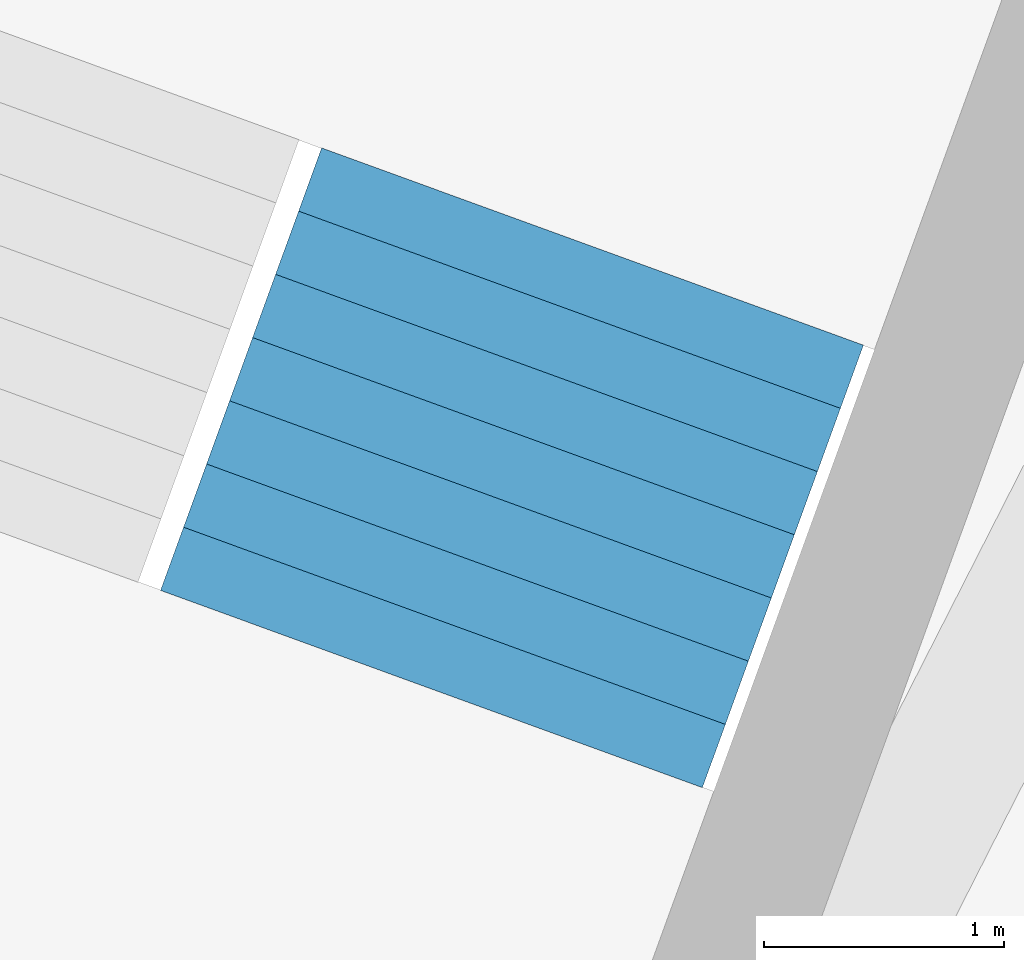
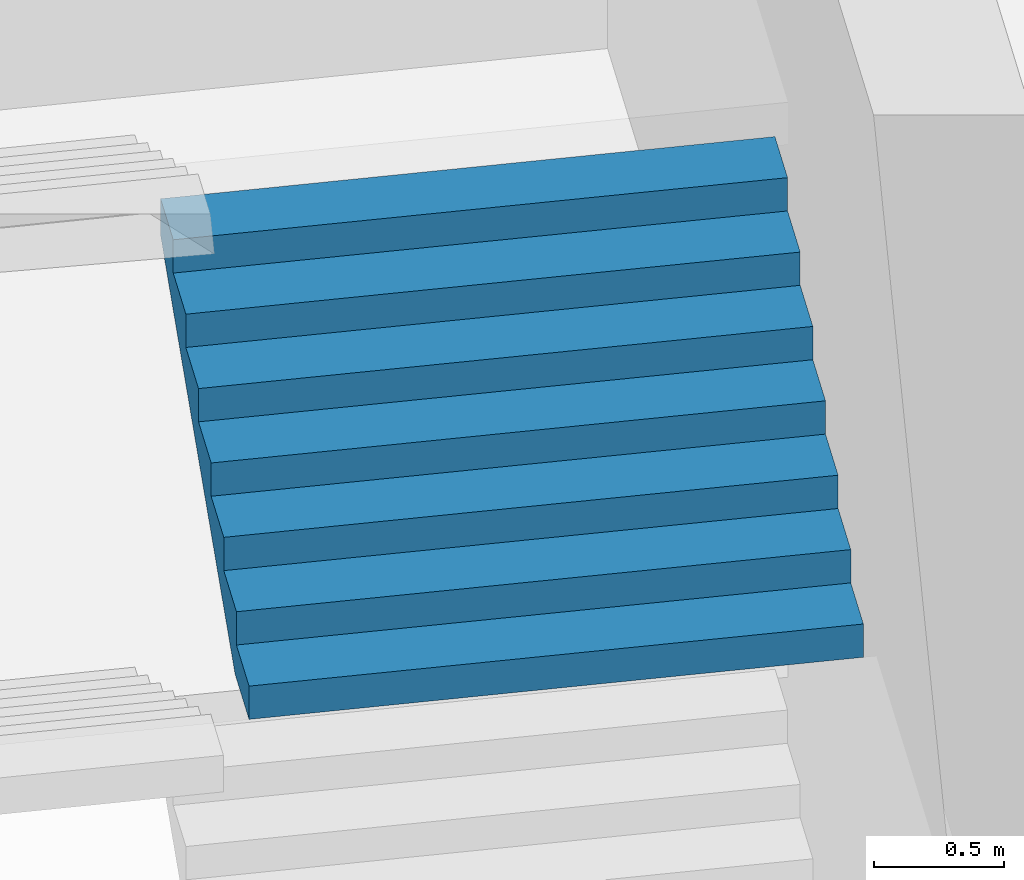
# One storey, part 48 of 73: 1 stair flight, 1 element without a shape of its own.
"""IFC4 building model written with IfcOpenShell, lengths in metres."""

from ifc_helpers import new_model, si_unit, direction, frame, origin, place, context, subcontext, project, spatial, triangles, material, type_object, element, aggregate, save


model = new_model("IFC4")

# Units and contexts
model_context = context("Model", 3, precision=1e-05, world=origin(), true_north=direction((0.0, 1.0)))
body_context = subcontext(model_context, "Body", "Model", "MODEL_VIEW")
ifc_project = project(units=[si_unit("LENGTHUNIT", "METRE"), si_unit("AREAUNIT", "SQUARE_METRE"), si_unit("VOLUMEUNIT", "CUBIC_METRE"), si_unit("PLANEANGLEUNIT", "RADIAN"), si_unit("MASSUNIT", "GRAM", prefix="KILO")], contexts=[model_context])

# Site, building, storey
site_placement = place(None, origin())
site = spatial("IfcSite", under=ifc_project, at=site_placement, CompositionType="ELEMENT")
building_placement = place(site_placement, origin())
building = spatial("IfcBuilding", under=site, at=building_placement, Name="Lantaw Convention Tower", CompositionType="ELEMENT")
storey_placement = place(building_placement, frame((0.0, 0.0, 27.0)))
storey = spatial("IfcBuildingStorey", under=building, at=storey_placement, Name="L04", CompositionType="ELEMENT", Elevation=27.0)

# Stair, stair flight
ifc_material = material(Name="Concrete C35/45", Category="concrete")
stair_type = type_object("IfcStairType", Name="Exit stair 2400 riser 156.25 in 4 flights", PredefinedType="HALF_TURN_STAIR", material=ifc_material)
stair_placement = place(storey_placement, origin())
stair = element("IfcStair", 1, at=stair_placement, inside=storey, type_object=stair_type, Name="Podium exit stair P5 L04", PredefinedType="HALF_TURN_STAIR")
stair_flight_type = type_object("IfcStairFlightType", Name="Stair flight 2400 riser 156.25", PredefinedType="STRAIGHT", material=ifc_material)
stair_flight_placement = place(storey_placement, frame((10.476318359375, 25.128662109375, 2.5), z_axis=(0.0, 0.0, 1.0), x_axis=(0.342020143326, 0.939692620786, 0.0)))
stair_flight = element("IfcStairFlight", 2, at=stair_flight_placement, type_object=stair_flight_type, Name="P5 flight 3", NumberOfRisers=8, NumberOfTreads=7, PredefinedType="STRAIGHT", RiserHeight=0.15625, TreadLength=0.28, context=body_context, shape_type="Tessellation", body=[
    triangles([(0.0, 1.199951171875, 0.0), (0.0, 1.199951171875, 0.15625), (0.28, 1.199951171875, 0.0), (0.28, 1.199951171875, 0.15625), (0.28, 1.199951171875, 0.3125), (0.3076200632058044, 1.199951171875, 0.0), (0.3076200632058044, 1.199951171875, 0.3125), (0.56, 1.199951171875, 0.14083701830033238), (0.56, 1.199951171875, 0.3125), (0.56, 1.199951171875, 0.46875), (0.8400000000000001, 1.199951171875, 0.29708701830033235), (0.8400000000000001, 1.199951171875, 0.46875), (0.8400000000000001, 1.199951171875, 0.625), (1.12, 1.199951171875, 0.45333701830033235), (1.12, 1.199951171875, 0.625), (1.12, 1.199951171875, 0.78125), (1.4000000000000001, 1.199951171875, 0.6095870183003324), (1.4000000000000001, 1.199951171875, 0.78125), (1.4000000000000001, 1.199951171875, 0.9375), (1.6800000000000002, 1.199951171875, 0.7658370183003324), (1.6800000000000002, 1.199951171875, 0.9375), (1.6800000000000002, 1.199951171875, 1.09375), (1.9600000000000002, 1.199951171875, 0.9220870183003324), (1.9600000000000002, 1.199951171875, 1.09375), (0.0, -1.199951171875, 0.0), (0.0, -1.199951171875, 0.15625), (0.28, -1.199951171875, 0.0), (0.28, -1.199951171875, 0.15625), (0.28, -1.199951171875, 0.3125), (0.3076200632058044, -1.199951171875, 0.0), (0.3076200632058044, -1.199951171875, 0.3125), (0.56, -1.199951171875, 0.14083701830033238), (0.56, -1.199951171875, 0.3125), (0.56, -1.199951171875, 0.46875), (0.8400000000000001, -1.199951171875, 0.29708701830033235), (0.8400000000000001, -1.199951171875, 0.46875), (0.8400000000000001, -1.199951171875, 0.625), (1.12, -1.199951171875, 0.45333701830033235), (1.12, -1.199951171875, 0.625), (1.12, -1.199951171875, 0.78125), (1.4000000000000001, -1.199951171875, 0.6095870183003324), (1.4000000000000001, -1.199951171875, 0.78125), (1.4000000000000001, -1.199951171875, 0.9375), (1.6800000000000002, -1.199951171875, 0.7658370183003324), (1.6800000000000002, -1.199951171875, 0.9375), (1.6800000000000002, -1.199951171875, 1.09375), (1.9600000000000002, -1.199951171875, 0.9220870183003324), (1.9600000000000002, -1.199951171875, 1.09375), (0.0, 0.239990234375, 0.15625), (0.0, 0.239990234375, 0.0), (0.0, 0.1919921875, 0.15625), (0.0, 0.1919921875, 0.0), (0.0, 0.143994140625, 0.15625), (0.0, 0.143994140625, 0.0), (0.0, 0.09599609375, 0.15625), (0.0, 0.09599609375, 0.0), (0.0, 0.047998046875, 0.15625), (0.0, 0.047998046875, 0.0), (0.0, 0.0, 0.15625), (0.0, 0.0, 0.0), (0.0, -0.047998046875, 0.15625), (0.0, -0.047998046875, 0.0), (0.0, -0.09599609375, 0.15625), (0.0, -0.09599609375, 0.0), (0.0, -0.143994140625, 0.15625), (0.0, -0.143994140625, 0.0), (0.0, -0.1919921875, 0.15625), (0.0, -0.1919921875, 0.0), (0.0, -0.239990234375, 0.15625), (0.0, -0.239990234375, 0.0), (0.28, 0.239990234375, 0.3125), (0.28, 0.239990234375, 0.15625), (0.28, 0.1919921875, 0.3125), (0.28, 0.1919921875, 0.15625), (0.28, 0.143994140625, 0.3125), (0.28, 0.143994140625, 0.15625), (0.28, 0.09599609375, 0.3125), (0.28, 0.09599609375, 0.15625), (0.28, 0.047998046875, 0.3125), (0.28, 0.047998046875, 0.15625), (0.28, 0.0, 0.3125), (0.28, 0.0, 0.15625), (0.28, -0.047998046875, 0.3125), (0.28, -0.047998046875, 0.15625), (0.28, -0.09599609375, 0.3125), (0.28, -0.09599609375, 0.15625), (0.28, -0.143994140625, 0.3125), (0.28, -0.143994140625, 0.15625), (0.28, -0.1919921875, 0.3125), (0.28, -0.1919921875, 0.15625), (0.28, -0.239990234375, 0.3125), (0.28, -0.239990234375, 0.15625), (0.56, 0.239990234375, 0.46875), (0.56, 0.239990234375, 0.3125), (0.56, 0.1919921875, 0.46875), (0.56, 0.1919921875, 0.3125), (0.56, 0.143994140625, 0.46875), (0.56, 0.143994140625, 0.3125), (0.56, 0.09599609375, 0.46875), (0.56, 0.09599609375, 0.3125), (0.56, 0.047998046875, 0.46875), (0.56, 0.047998046875, 0.3125), (0.56, 0.0, 0.46875), (0.56, 0.0, 0.3125), (0.56, -0.047998046875, 0.46875), (0.56, -0.047998046875, 0.3125), (0.56, -0.09599609375, 0.46875), (0.56, -0.09599609375, 0.3125), (0.56, -0.143994140625, 0.46875), (0.56, -0.143994140625, 0.3125), (0.56, -0.1919921875, 0.46875), (0.56, -0.1919921875, 0.3125), (0.56, -0.239990234375, 0.46875), (0.56, -0.239990234375, 0.3125), (0.8400000000000001, 0.239990234375, 0.625), (0.8400000000000001, 0.239990234375, 0.46875), (0.8400000000000001, 0.1919921875, 0.625), (0.8400000000000001, 0.1919921875, 0.46875), (0.8400000000000001, 0.143994140625, 0.625), (0.8400000000000001, 0.143994140625, 0.46875), (0.8400000000000001, 0.09599609375, 0.625), (0.8400000000000001, 0.09599609375, 0.46875), (0.8400000000000001, 0.047998046875, 0.625), (0.8400000000000001, 0.047998046875, 0.46875), (0.8400000000000001, 0.0, 0.625), (0.8400000000000001, 0.0, 0.46875), (0.8400000000000001, -0.047998046875, 0.625), (0.8400000000000001, -0.047998046875, 0.46875), (0.8400000000000001, -0.09599609375, 0.625), (0.8400000000000001, -0.09599609375, 0.46875), (0.8400000000000001, -0.143994140625, 0.625), (0.8400000000000001, -0.143994140625, 0.46875), (0.8400000000000001, -0.1919921875, 0.625), (0.8400000000000001, -0.1919921875, 0.46875), (0.8400000000000001, -0.239990234375, 0.625), (0.8400000000000001, -0.239990234375, 0.46875), (1.12, 0.239990234375, 0.78125), (1.12, 0.239990234375, 0.625), (1.12, 0.1919921875, 0.78125), (1.12, 0.1919921875, 0.625), (1.12, 0.143994140625, 0.78125), (1.12, 0.143994140625, 0.625), (1.12, 0.09599609375, 0.78125), (1.12, 0.09599609375, 0.625), (1.12, 0.047998046875, 0.78125), (1.12, 0.047998046875, 0.625), (1.12, 0.0, 0.78125), (1.12, 0.0, 0.625), (1.12, -0.047998046875, 0.78125), (1.12, -0.047998046875, 0.625), (1.12, -0.09599609375, 0.78125), (1.12, -0.09599609375, 0.625), (1.12, -0.143994140625, 0.78125), (1.12, -0.143994140625, 0.625), (1.12, -0.1919921875, 0.78125), (1.12, -0.1919921875, 0.625), (1.12, -0.239990234375, 0.78125), (1.12, -0.239990234375, 0.625), (1.4000000000000001, 0.239990234375, 0.9375), (1.4000000000000001, 0.239990234375, 0.78125), (1.4000000000000001, 0.1919921875, 0.9375), (1.4000000000000001, 0.1919921875, 0.78125), (1.4000000000000001, 0.143994140625, 0.9375), (1.4000000000000001, 0.143994140625, 0.78125), (1.4000000000000001, 0.09599609375, 0.9375), (1.4000000000000001, 0.09599609375, 0.78125), (1.4000000000000001, 0.047998046875, 0.9375), (1.4000000000000001, 0.047998046875, 0.78125), (1.4000000000000001, 0.0, 0.9375), (1.4000000000000001, 0.0, 0.78125), (1.4000000000000001, -0.047998046875, 0.9375), (1.4000000000000001, -0.047998046875, 0.78125), (1.4000000000000001, -0.09599609375, 0.9375), (1.4000000000000001, -0.09599609375, 0.78125), (1.4000000000000001, -0.143994140625, 0.9375), (1.4000000000000001, -0.143994140625, 0.78125), (1.4000000000000001, -0.1919921875, 0.9375), (1.4000000000000001, -0.1919921875, 0.78125), (1.4000000000000001, -0.239990234375, 0.9375), (1.4000000000000001, -0.239990234375, 0.78125), (1.6800000000000002, 0.239990234375, 1.09375), (1.6800000000000002, 0.239990234375, 0.9375), (1.6800000000000002, 0.1919921875, 1.09375), (1.6800000000000002, 0.1919921875, 0.9375), (1.6800000000000002, 0.143994140625, 1.09375), (1.6800000000000002, 0.143994140625, 0.9375), (1.6800000000000002, 0.09599609375, 1.09375), (1.6800000000000002, 0.09599609375, 0.9375), (1.6800000000000002, 0.047998046875, 1.09375), (1.6800000000000002, 0.047998046875, 0.9375), (1.6800000000000002, 0.0, 1.09375), (1.6800000000000002, 0.0, 0.9375), (1.6800000000000002, -0.047998046875, 1.09375), (1.6800000000000002, -0.047998046875, 0.9375), (1.6800000000000002, -0.09599609375, 1.09375), (1.6800000000000002, -0.09599609375, 0.9375), (1.6800000000000002, -0.143994140625, 1.09375), (1.6800000000000002, -0.143994140625, 0.9375), (1.6800000000000002, -0.1919921875, 1.09375), (1.6800000000000002, -0.1919921875, 0.9375), (1.6800000000000002, -0.239990234375, 1.09375), (1.6800000000000002, -0.239990234375, 0.9375), (0.3076200632058044, 0.239990234375, 0.3125), (0.3076200632058044, 0.1919921875, 0.3125), (0.3076200632058044, 0.143994140625, 0.3125), (0.3076200632058044, 0.09599609375, 0.3125), (0.3076200632058044, 0.047998046875, 0.3125), (0.3076200632058044, 0.0, 0.3125), (0.3076200632058044, -0.047998046875, 0.3125), (0.3076200632058044, -0.09599609375, 0.3125), (0.3076200632058044, -0.143994140625, 0.3125), (0.3076200632058044, -0.1919921875, 0.3125), (0.3076200632058044, -0.239990234375, 0.3125), (1.9600000000000002, 0.239990234375, 1.09375), (1.9600000000000002, 0.1919921875, 1.09375), (1.9600000000000002, 0.143994140625, 1.09375), (1.9600000000000002, 0.09599609375, 1.09375), (1.9600000000000002, 0.047998046875, 1.09375), (1.9600000000000002, 0.0, 1.09375), (1.9600000000000002, -0.047998046875, 1.09375), (1.9600000000000002, -0.09599609375, 1.09375), (1.9600000000000002, -0.143994140625, 1.09375), (1.9600000000000002, -0.1919921875, 1.09375), (1.9600000000000002, -0.239990234375, 1.09375), (1.9600000000000002, 0.239990234375, 0.9220870183003324), (1.9600000000000002, 0.1919921875, 0.9220870183003324), (1.9600000000000002, 0.143994140625, 0.9220870183003324), (1.9600000000000002, 0.09599609375, 0.9220870183003324), (1.9600000000000002, 0.047998046875, 0.9220870183003324), (1.9600000000000002, 0.0, 0.9220870183003324), (1.9600000000000002, -0.047998046875, 0.9220870183003324), (1.9600000000000002, -0.09599609375, 0.9220870183003324), (1.9600000000000002, -0.143994140625, 0.9220870183003324), (1.9600000000000002, -0.1919921875, 0.9220870183003324), (1.9600000000000002, -0.239990234375, 0.9220870183003324), (1.6800000000000002, 0.239990234375, 0.7658370183003324), (1.6800000000000002, 0.1919921875, 0.7658370183003324), (1.6800000000000002, 0.143994140625, 0.7658370183003324), (1.6800000000000002, 0.09599609375, 0.7658370183003324), (1.6800000000000002, 0.047998046875, 0.7658370183003324), (1.6800000000000002, 0.0, 0.7658370183003324), (1.6800000000000002, -0.047998046875, 0.7658370183003324), (1.6800000000000002, -0.09599609375, 0.7658370183003324), (1.6800000000000002, -0.143994140625, 0.7658370183003324), (1.6800000000000002, -0.1919921875, 0.7658370183003324), (1.6800000000000002, -0.239990234375, 0.7658370183003324), (1.4000000000000001, 0.239990234375, 0.6095870183003324), (1.4000000000000001, 0.1919921875, 0.6095870183003324), (1.4000000000000001, 0.143994140625, 0.6095870183003324), (1.4000000000000001, 0.09599609375, 0.6095870183003324), (1.4000000000000001, 0.047998046875, 0.6095870183003324), (1.4000000000000001, 0.0, 0.6095870183003324), (1.4000000000000001, -0.047998046875, 0.6095870183003324), (1.4000000000000001, -0.09599609375, 0.6095870183003324), (1.4000000000000001, -0.143994140625, 0.6095870183003324), (1.4000000000000001, -0.1919921875, 0.6095870183003324), (1.4000000000000001, -0.239990234375, 0.6095870183003324), (1.12, 0.239990234375, 0.45333701830033235), (1.12, 0.1919921875, 0.45333701830033235), (1.12, 0.143994140625, 0.45333701830033235), (1.12, 0.09599609375, 0.45333701830033235), (1.12, 0.047998046875, 0.45333701830033235), (1.12, 0.0, 0.45333701830033235), (1.12, -0.047998046875, 0.45333701830033235), (1.12, -0.09599609375, 0.45333701830033235), (1.12, -0.143994140625, 0.45333701830033235), (1.12, -0.1919921875, 0.45333701830033235), (1.12, -0.239990234375, 0.45333701830033235), (0.8400000000000001, 0.239990234375, 0.29708701830033235), (0.8400000000000001, 0.1919921875, 0.29708701830033235), (0.8400000000000001, 0.143994140625, 0.29708701830033235), (0.8400000000000001, 0.09599609375, 0.29708701830033235), (0.8400000000000001, 0.047998046875, 0.29708701830033235), (0.8400000000000001, 0.0, 0.29708701830033235), (0.8400000000000001, -0.047998046875, 0.29708701830033235), (0.8400000000000001, -0.09599609375, 0.29708701830033235), (0.8400000000000001, -0.143994140625, 0.29708701830033235), (0.8400000000000001, -0.1919921875, 0.29708701830033235), (0.8400000000000001, -0.239990234375, 0.29708701830033235), (0.56, 0.239990234375, 0.14083701830033238), (0.56, 0.1919921875, 0.14083701830033238), (0.56, 0.143994140625, 0.14083701830033238), (0.56, 0.09599609375, 0.14083701830033238), (0.56, 0.047998046875, 0.14083701830033238), (0.56, 0.0, 0.14083701830033238), (0.56, -0.047998046875, 0.14083701830033238), (0.56, -0.09599609375, 0.14083701830033238), (0.56, -0.143994140625, 0.14083701830033238), (0.56, -0.1919921875, 0.14083701830033238), (0.56, -0.239990234375, 0.14083701830033238), (0.3076200632058044, 0.239990234375, 0.0), (0.3076200632058044, 0.1919921875, 0.0), (0.3076200632058044, 0.143994140625, 0.0), (0.3076200632058044, 0.09599609375, 0.0), (0.3076200632058044, 0.047998046875, 0.0), (0.3076200632058044, 0.0, 0.0), (0.3076200632058044, -0.047998046875, 0.0), (0.3076200632058044, -0.09599609375, 0.0), (0.3076200632058044, -0.143994140625, 0.0), (0.3076200632058044, -0.1919921875, 0.0), (0.3076200632058044, -0.239990234375, 0.0), (0.28, 0.239990234375, 0.0), (0.28, 0.1919921875, 0.0), (0.28, 0.143994140625, 0.0), (0.28, 0.09599609375, 0.0), (0.28, 0.047998046875, 0.0), (0.28, 0.0, 0.0), (0.28, -0.047998046875, 0.0), (0.28, -0.09599609375, 0.0), (0.28, -0.143994140625, 0.0), (0.28, -0.1919921875, 0.0), (0.28, -0.239990234375, 0.0)], [[1, 4, 3], [1, 2, 4], [3, 4, 6], [4, 7, 6], [4, 5, 7], [6, 9, 8], [6, 7, 9], [8, 9, 11], [9, 12, 11], [9, 10, 12], [11, 12, 14], [12, 15, 14], [12, 13, 15], [14, 15, 17], [15, 18, 17], [15, 16, 18], [17, 18, 20], [18, 21, 20], [18, 19, 21], [20, 21, 23], [21, 24, 23], [21, 22, 24], [25, 27, 28], [25, 28, 26], [27, 30, 28], [28, 30, 31], [28, 31, 29], [30, 32, 33], [30, 33, 31], [32, 35, 33], [33, 35, 36], [33, 36, 34], [35, 38, 36], [36, 38, 39], [36, 39, 37], [38, 41, 39], [39, 41, 42], [39, 42, 40], [41, 44, 42], [42, 44, 45], [42, 45, 43], [44, 47, 45], [45, 47, 48], [45, 48, 46], [1, 49, 2], [1, 50, 49], [50, 51, 49], [50, 52, 51], [52, 53, 51], [52, 54, 53], [54, 55, 53], [54, 56, 55], [56, 57, 55], [56, 58, 57], [58, 59, 57], [58, 60, 59], [60, 61, 59], [60, 62, 61], [62, 63, 61], [62, 64, 63], [64, 65, 63], [64, 66, 65], [66, 67, 65], [66, 68, 67], [68, 69, 67], [68, 70, 69], [70, 26, 69], [70, 25, 26], [4, 71, 5], [4, 72, 71], [72, 73, 71], [72, 74, 73], [74, 75, 73], [74, 76, 75], [76, 77, 75], [76, 78, 77], [78, 79, 77], [78, 80, 79], [80, 81, 79], [80, 82, 81], [82, 83, 81], [82, 84, 83], [84, 85, 83], [84, 86, 85], [86, 87, 85], [86, 88, 87], [88, 89, 87], [88, 90, 89], [90, 91, 89], [90, 92, 91], [92, 29, 91], [92, 28, 29], [9, 93, 10], [9, 94, 93], [94, 95, 93], [94, 96, 95], [96, 97, 95], [96, 98, 97], [98, 99, 97], [98, 100, 99], [100, 101, 99], [100, 102, 101], [102, 103, 101], [102, 104, 103], [104, 105, 103], [104, 106, 105], [106, 107, 105], [106, 108, 107], [108, 109, 107], [108, 110, 109], [110, 111, 109], [110, 112, 111], [112, 113, 111], [112, 114, 113], [114, 34, 113], [114, 33, 34], [12, 115, 13], [12, 116, 115], [116, 117, 115], [116, 118, 117], [118, 119, 117], [118, 120, 119], [120, 121, 119], [120, 122, 121], [122, 123, 121], [122, 124, 123], [124, 125, 123], [124, 126, 125], [126, 127, 125], [126, 128, 127], [128, 129, 127], [128, 130, 129], [130, 131, 129], [130, 132, 131], [132, 133, 131], [132, 134, 133], [134, 135, 133], [134, 136, 135], [136, 37, 135], [136, 36, 37], [15, 137, 16], [15, 138, 137], [138, 139, 137], [138, 140, 139], [140, 141, 139], [140, 142, 141], [142, 143, 141], [142, 144, 143], [144, 145, 143], [144, 146, 145], [146, 147, 145], [146, 148, 147], [148, 149, 147], [148, 150, 149], [150, 151, 149], [150, 152, 151], [152, 153, 151], [152, 154, 153], [154, 155, 153], [154, 156, 155], [156, 157, 155], [156, 158, 157], [158, 40, 157], [158, 39, 40], [18, 159, 19], [18, 160, 159], [160, 161, 159], [160, 162, 161], [162, 163, 161], [162, 164, 163], [164, 165, 163], [164, 166, 165], [166, 167, 165], [166, 168, 167], [168, 169, 167], [168, 170, 169], [170, 171, 169], [170, 172, 171], [172, 173, 171], [172, 174, 173], [174, 175, 173], [174, 176, 175], [176, 177, 175], [176, 178, 177], [178, 179, 177], [178, 180, 179], [180, 43, 179], [180, 42, 43], [21, 181, 22], [21, 182, 181], [182, 183, 181], [182, 184, 183], [184, 185, 183], [184, 186, 185], [186, 187, 185], [186, 188, 187], [188, 189, 187], [188, 190, 189], [190, 191, 189], [190, 192, 191], [192, 193, 191], [192, 194, 193], [194, 195, 193], [194, 196, 195], [196, 197, 195], [196, 198, 197], [198, 199, 197], [198, 200, 199], [200, 201, 199], [200, 202, 201], [202, 46, 201], [202, 45, 46], [2, 72, 4], [2, 49, 72], [49, 74, 72], [49, 51, 74], [51, 76, 74], [51, 53, 76], [53, 78, 76], [53, 55, 78], [55, 80, 78], [55, 57, 80], [57, 82, 80], [57, 59, 82], [59, 84, 82], [59, 61, 84], [61, 86, 84], [61, 63, 86], [63, 88, 86], [63, 65, 88], [65, 90, 88], [65, 67, 90], [67, 92, 90], [67, 69, 92], [69, 28, 92], [69, 26, 28], [5, 203, 7], [5, 71, 203], [71, 204, 203], [71, 73, 204], [73, 205, 204], [73, 75, 205], [75, 206, 205], [75, 77, 206], [77, 207, 206], [77, 79, 207], [79, 208, 207], [79, 81, 208], [81, 209, 208], [81, 83, 209], [83, 210, 209], [83, 85, 210], [85, 211, 210], [85, 87, 211], [87, 212, 211], [87, 89, 212], [89, 213, 212], [89, 91, 213], [91, 31, 213], [91, 29, 31], [7, 94, 9], [7, 203, 94], [203, 96, 94], [203, 204, 96], [204, 98, 96], [204, 205, 98], [205, 100, 98], [205, 206, 100], [206, 102, 100], [206, 207, 102], [207, 104, 102], [207, 208, 104], [208, 106, 104], [208, 209, 106], [209, 108, 106], [209, 210, 108], [210, 110, 108], [210, 211, 110], [211, 112, 110], [211, 212, 112], [212, 114, 112], [212, 213, 114], [213, 33, 114], [213, 31, 33], [10, 116, 12], [10, 93, 116], [93, 118, 116], [93, 95, 118], [95, 120, 118], [95, 97, 120], [97, 122, 120], [97, 99, 122], [99, 124, 122], [99, 101, 124], [101, 126, 124], [101, 103, 126], [103, 128, 126], [103, 105, 128], [105, 130, 128], [105, 107, 130], [107, 132, 130], [107, 109, 132], [109, 134, 132], [109, 111, 134], [111, 136, 134], [111, 113, 136], [113, 36, 136], [113, 34, 36], [13, 138, 15], [13, 115, 138], [115, 140, 138], [115, 117, 140], [117, 142, 140], [117, 119, 142], [119, 144, 142], [119, 121, 144], [121, 146, 144], [121, 123, 146], [123, 148, 146], [123, 125, 148], [125, 150, 148], [125, 127, 150], [127, 152, 150], [127, 129, 152], [129, 154, 152], [129, 131, 154], [131, 156, 154], [131, 133, 156], [133, 158, 156], [133, 135, 158], [135, 39, 158], [135, 37, 39], [16, 160, 18], [16, 137, 160], [137, 162, 160], [137, 139, 162], [139, 164, 162], [139, 141, 164], [141, 166, 164], [141, 143, 166], [143, 168, 166], [143, 145, 168], [145, 170, 168], [145, 147, 170], [147, 172, 170], [147, 149, 172], [149, 174, 172], [149, 151, 174], [151, 176, 174], [151, 153, 176], [153, 178, 176], [153, 155, 178], [155, 180, 178], [155, 157, 180], [157, 42, 180], [157, 40, 42], [19, 182, 21], [19, 159, 182], [159, 184, 182], [159, 161, 184], [161, 186, 184], [161, 163, 186], [163, 188, 186], [163, 165, 188], [165, 190, 188], [165, 167, 190], [167, 192, 190], [167, 169, 192], [169, 194, 192], [169, 171, 194], [171, 196, 194], [171, 173, 196], [173, 198, 196], [173, 175, 198], [175, 200, 198], [175, 177, 200], [177, 202, 200], [177, 179, 202], [179, 45, 202], [179, 43, 45], [22, 214, 24], [22, 181, 214], [181, 215, 214], [181, 183, 215], [183, 216, 215], [183, 185, 216], [185, 217, 216], [185, 187, 217], [187, 218, 217], [187, 189, 218], [189, 219, 218], [189, 191, 219], [191, 220, 219], [191, 193, 220], [193, 221, 220], [193, 195, 221], [195, 222, 221], [195, 197, 222], [197, 223, 222], [197, 199, 223], [199, 224, 223], [199, 201, 224], [201, 48, 224], [201, 46, 48], [24, 225, 23], [24, 214, 225], [214, 226, 225], [214, 215, 226], [215, 227, 226], [215, 216, 227], [216, 228, 227], [216, 217, 228], [217, 229, 228], [217, 218, 229], [218, 230, 229], [218, 219, 230], [219, 231, 230], [219, 220, 231], [220, 232, 231], [220, 221, 232], [221, 233, 232], [221, 222, 233], [222, 234, 233], [222, 223, 234], [223, 235, 234], [223, 224, 235], [224, 47, 235], [224, 48, 47], [23, 236, 20], [23, 225, 236], [225, 237, 236], [225, 226, 237], [226, 238, 237], [226, 227, 238], [227, 239, 238], [227, 228, 239], [228, 240, 239], [228, 229, 240], [229, 241, 240], [229, 230, 241], [230, 242, 241], [230, 231, 242], [231, 243, 242], [231, 232, 243], [232, 244, 243], [232, 233, 244], [233, 245, 244], [233, 234, 245], [234, 246, 245], [234, 235, 246], [235, 44, 246], [235, 47, 44], [20, 247, 17], [20, 236, 247], [236, 248, 247], [236, 237, 248], [237, 249, 248], [237, 238, 249], [238, 250, 249], [238, 239, 250], [239, 251, 250], [239, 240, 251], [240, 252, 251], [240, 241, 252], [241, 253, 252], [241, 242, 253], [242, 254, 253], [242, 243, 254], [243, 255, 254], [243, 244, 255], [244, 256, 255], [244, 245, 256], [245, 257, 256], [245, 246, 257], [246, 41, 257], [246, 44, 41], [17, 258, 14], [17, 247, 258], [247, 259, 258], [247, 248, 259], [248, 260, 259], [248, 249, 260], [249, 261, 260], [249, 250, 261], [250, 262, 261], [250, 251, 262], [251, 263, 262], [251, 252, 263], [252, 264, 263], [252, 253, 264], [253, 265, 264], [253, 254, 265], [254, 266, 265], [254, 255, 266], [255, 267, 266], [255, 256, 267], [256, 268, 267], [256, 257, 268], [257, 38, 268], [257, 41, 38], [14, 269, 11], [14, 258, 269], [258, 270, 269], [258, 259, 270], [259, 271, 270], [259, 260, 271], [260, 272, 271], [260, 261, 272], [261, 273, 272], [261, 262, 273], [262, 274, 273], [262, 263, 274], [263, 275, 274], [263, 264, 275], [264, 276, 275], [264, 265, 276], [265, 277, 276], [265, 266, 277], [266, 278, 277], [266, 267, 278], [267, 279, 278], [267, 268, 279], [268, 35, 279], [268, 38, 35], [11, 280, 8], [11, 269, 280], [269, 281, 280], [269, 270, 281], [270, 282, 281], [270, 271, 282], [271, 283, 282], [271, 272, 283], [272, 284, 283], [272, 273, 284], [273, 285, 284], [273, 274, 285], [274, 286, 285], [274, 275, 286], [275, 287, 286], [275, 276, 287], [276, 288, 287], [276, 277, 288], [277, 289, 288], [277, 278, 289], [278, 290, 289], [278, 279, 290], [279, 32, 290], [279, 35, 32], [8, 291, 6], [8, 280, 291], [280, 292, 291], [280, 281, 292], [281, 293, 292], [281, 282, 293], [282, 294, 293], [282, 283, 294], [283, 295, 294], [283, 284, 295], [284, 296, 295], [284, 285, 296], [285, 297, 296], [285, 286, 297], [286, 298, 297], [286, 287, 298], [287, 299, 298], [287, 288, 299], [288, 300, 299], [288, 289, 300], [289, 301, 300], [289, 290, 301], [290, 30, 301], [290, 32, 30], [6, 302, 3], [6, 291, 302], [291, 303, 302], [291, 292, 303], [292, 304, 303], [292, 293, 304], [293, 305, 304], [293, 294, 305], [294, 306, 305], [294, 295, 306], [295, 307, 306], [295, 296, 307], [296, 308, 307], [296, 297, 308], [297, 309, 308], [297, 298, 309], [298, 310, 309], [298, 299, 310], [299, 311, 310], [299, 300, 311], [300, 312, 311], [300, 301, 312], [301, 27, 312], [301, 30, 27], [3, 50, 1], [3, 302, 50], [302, 52, 50], [302, 303, 52], [303, 54, 52], [303, 304, 54], [304, 56, 54], [304, 305, 56], [305, 58, 56], [305, 306, 58], [306, 60, 58], [306, 307, 60], [307, 62, 60], [307, 308, 62], [308, 64, 62], [308, 309, 64], [309, 66, 64], [309, 310, 66], [310, 68, 66], [310, 311, 68], [311, 70, 68], [311, 312, 70], [312, 25, 70], [312, 27, 25]], closed=True),
])
aggregate(stair, [stair_flight])

save(model, "model.ifc")
